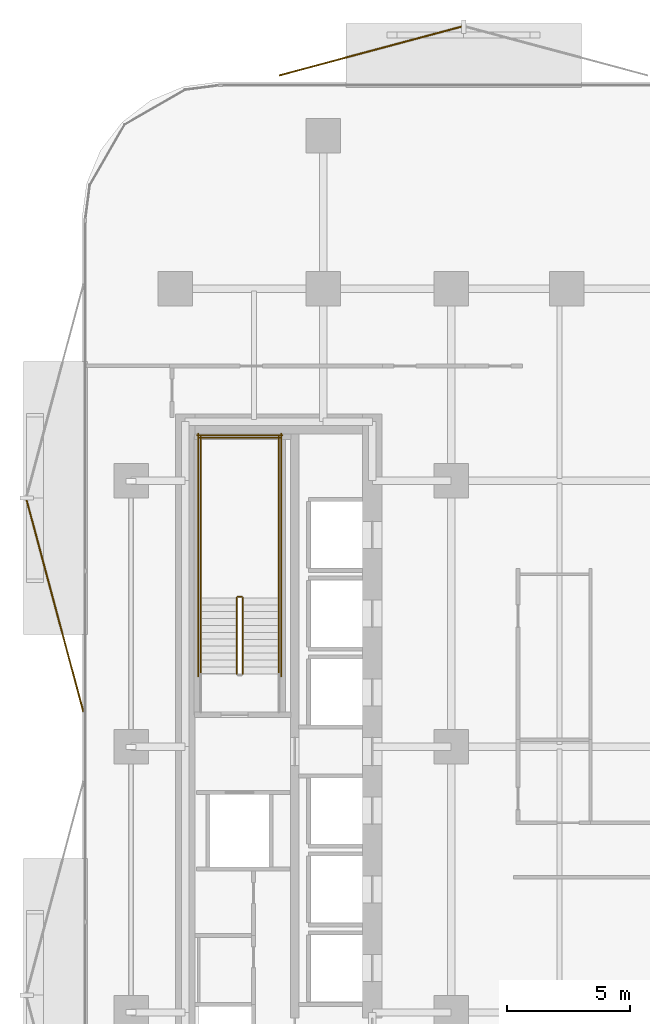
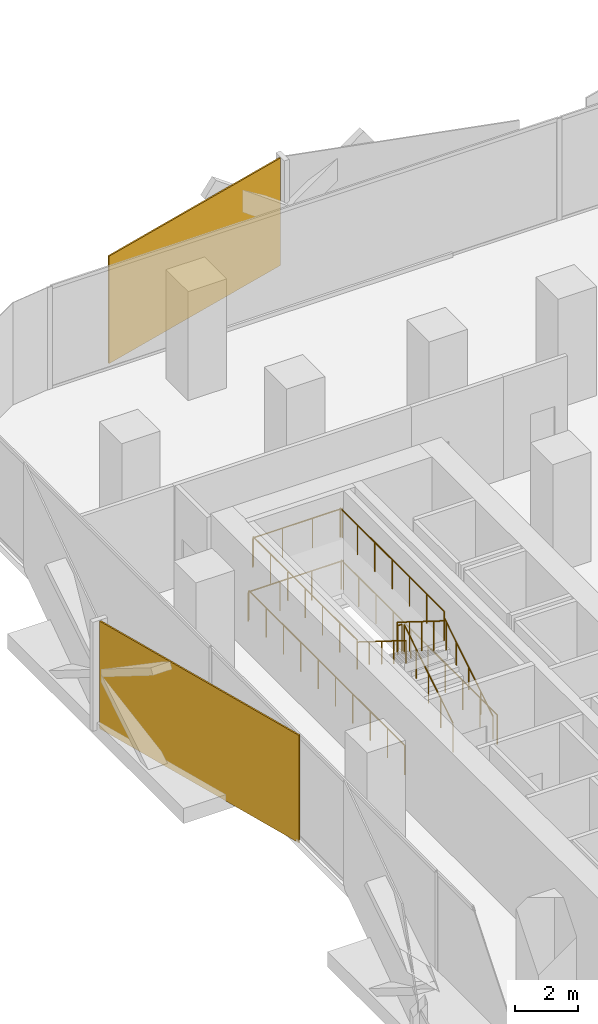
# One storey, part 14 of 15: 11 railings, 2 coverings.
"""IFC4 building model written with IfcOpenShell, lengths in metres."""

from ifc_helpers import new_model, si_unit, direction, frame, origin, origin_2d, place, context, subcontext, project, spatial, rectangle, circle, extrude, material, layer, layer_set, type_object, element, save


model = new_model("IFC4")

# Units and contexts
model_context = context("Model", 3, precision=1e-05, world=origin(), true_north=direction((0.0, 1.0)))
body_context = subcontext(model_context, "Body", "Model", "MODEL_VIEW")
ifc_project = project(units=[si_unit("LENGTHUNIT", "METRE"), si_unit("AREAUNIT", "SQUARE_METRE"), si_unit("VOLUMEUNIT", "CUBIC_METRE"), si_unit("PLANEANGLEUNIT", "RADIAN"), si_unit("MASSUNIT", "GRAM", prefix="KILO")], contexts=[model_context])

# Site, building, storey
site_placement = place(None, origin())
site = spatial("IfcSite", under=ifc_project, at=site_placement, CompositionType="ELEMENT")
building_placement = place(site_placement, origin())
building = spatial("IfcBuilding", under=site, at=building_placement, Name="Khairoan Windgate Tower", CompositionType="ELEMENT")
storey_placement = place(building_placement, frame((0.0, 0.0, 30.199951171875)))
storey = spatial("IfcBuildingStorey", under=building, at=storey_placement, Name="L07", CompositionType="ELEMENT", Elevation=30.199951171875)

# Coverings
ifc_material_1 = material(Name="Anodised Bronze Aluminium 6063-T6", Category="aluminium")
ifc_layer = layer(ifc_material_1, 0.054931640625, Name="Anodised Bronze Aluminium 6063-T6")
ifc_layer_set = layer_set([ifc_layer], Name="Anodised Bronze Aluminium 6063-T6")
covering_type = type_object("IfcCoveringType", Name="Perforated Bronze-Ceramic Folded Solar Screen Cladding BSC-1", PredefinedType="CLADDING", material=ifc_layer_set)
covering_1_placement = place(storey_placement, frame((-25.290283203125, 5.71484375, -0.10009765625), z_axis=(0.0, 0.0, 1.0), x_axis=(-0.258819045103, 0.965925826289, 0.0)))
element("IfcCovering", 1, at=covering_1_placement, inside=storey, type_object=covering_type, Name="L07 Folded Bronze Solar Screen Facet 12L", PredefinedType="CLADDING", context=body_context, shape_type="SweptSolid", body=[
    extrude(rectangle(XDim=8.884033203125, YDim=0.054931640625, at=origin_2d()), origin(), (0.0, 0.0, 1.0), 4.139892578125),
])
covering_2_placement = place(storey_placement, frame((-12.48095703125, 28.249755859375, -0.10009765625), z_axis=(0.0, 0.0, 1.0), x_axis=(0.965925826289, 0.258819045103, 0.0)))
element("IfcCovering", 2, at=covering_2_placement, inside=storey, type_object=covering_type, Name="L07 Folded Bronze Solar Screen Facet 13L", PredefinedType="CLADDING", context=body_context, shape_type="SweptSolid", body=[
    extrude(rectangle(XDim=7.652099609375, YDim=0.054931640625, at=origin_2d()), origin(), (0.0, 0.0, 1.0), 4.139892578125),
])

# Railings
ifc_material_2 = material(Name="Anodised Bronze Aluminium 6063-T6", Category="aluminium")
railing_type_1 = type_object("IfcRailingType", Name="Stair Wall Handrail SHR-900", PredefinedType="HANDRAIL", material=ifc_material_2)
railing_1_placement = place(storey_placement, frame((-16.199951171875, 2.9599609375, 0.175048828125)))
element("IfcRailing", 3, at=railing_1_placement, inside=storey, type_object=railing_type_1, Name="L07 ST2 stair handrail 1", PredefinedType="HANDRAIL", context=body_context, shape_type="SweptSolid", body=[
    extrude(circle(Radius=0.02392578125, at=origin_2d()), frame((0.0, 0.0, 0.8759765625), z_axis=(0.0, 0.847998304005, 0.529998940003), x_axis=(-1.0, 0.0, 0.0)), (0.0, 0.0, 1.0), 3.632080078125),
    extrude(circle(Radius=0.02099609375, at=origin_2d()), origin(), (0.0, 0.0, 1.0), 0.851806640625),
    extrude(circle(Radius=0.02099609375, at=origin_2d()), frame((0.0, 0.77001953125, 0.481201171875)), (0.0, 0.0, 1.0), 0.851806640625),
    extrude(circle(Radius=0.02099609375, at=origin_2d()), frame((0.0, 1.5400390625, 0.96240234375)), (0.0, 0.0, 1.0), 0.851806640625),
    extrude(circle(Radius=0.02099609375, at=origin_2d()), frame((0.0, 2.31005859375, 1.44384765625)), (0.0, 0.0, 1.0), 0.851806640625),
    extrude(circle(Radius=0.02099609375, at=origin_2d()), frame((0.0, 3.080078125, 1.925048828125)), (0.0, 0.0, 1.0), 0.851806640625),
])
railing_2_placement = place(storey_placement, frame((-19.3701171875, 6.0400390625, 2.275146484375)))
element("IfcRailing", 4, at=railing_2_placement, inside=storey, type_object=railing_type_1, Name="L07 ST2 stair handrail 2", PredefinedType="HANDRAIL", context=body_context, shape_type="SweptSolid", body=[
    extrude(circle(Radius=0.02392578125, at=origin_2d()), frame((0.0, 0.0, 0.8759765625), z_axis=(0.0, -0.848028513186, 0.529950602248), x_axis=(1.0, 0.0, 0.0)), (0.0, 0.0, 1.0), 3.632080078125),
    extrude(circle(Radius=0.02099609375, at=origin_2d()), origin(), (0.0, 0.0, 1.0), 0.851806640625),
    extrude(circle(Radius=0.02099609375, at=origin_2d()), frame((0.0, -0.77001953125, 0.481201171875)), (0.0, 0.0, 1.0), 0.851806640625),
    extrude(circle(Radius=0.02099609375, at=origin_2d()), frame((0.0, -1.5400390625, 0.96240234375)), (0.0, 0.0, 1.0), 0.851806640625),
    extrude(circle(Radius=0.02099609375, at=origin_2d()), frame((0.0, -2.31005859375, 1.443603515625)), (0.0, 0.0, 1.0), 0.851806640625),
    extrude(circle(Radius=0.02099609375, at=origin_2d()), frame((0.0, -3.080078125, 1.9248046875)), (0.0, 0.0, 1.0), 0.851806640625),
])
ifc_material_3 = material(Name="Steel S355", Category="steel")
railing_type_2 = type_object("IfcRailingType", Name="Stairwell Safety Guardrail SGR-1150", PredefinedType="GUARDRAIL", material=ifc_material_3)
railing_3_placement = place(storey_placement, frame((-17.659912109375, 2.9599609375, 0.175048828125)))
element("IfcRailing", 5, at=railing_3_placement, inside=storey, type_object=railing_type_2, Name="L07 ST2 stair guard 1", PredefinedType="GUARDRAIL", context=body_context, shape_type="SweptSolid", body=[
    extrude(circle(Radius=0.02392578125, at=origin_2d()), frame((0.0, 0.0, 1.1259765625), z_axis=(0.0, 0.847998304005, 0.529998940003), x_axis=(-1.0, 0.0, 0.0)), (0.0, 0.0, 1.0), 3.632080078125),
    extrude(circle(Radius=0.02099609375, at=origin_2d()), origin(), (0.0, 0.0, 1.0), 1.101806640625),
    extrude(circle(Radius=0.02099609375, at=origin_2d()), frame((0.0, 0.77001953125, 0.481201171875)), (0.0, 0.0, 1.0), 1.101806640625),
    extrude(circle(Radius=0.02099609375, at=origin_2d()), frame((0.0, 1.5400390625, 0.96240234375)), (0.0, 0.0, 1.0), 1.101806640625),
    extrude(circle(Radius=0.02099609375, at=origin_2d()), frame((0.0, 2.31005859375, 1.44384765625)), (0.0, 0.0, 1.0), 1.101806640625),
    extrude(circle(Radius=0.02099609375, at=origin_2d()), frame((0.0, 3.080078125, 1.925048828125)), (0.0, 0.0, 1.0), 1.101806640625),
])
railing_4_placement = place(storey_placement, frame((-17.7099609375, 6.090087890625, 2.10009765625)))
element("IfcRailing", 6, at=railing_4_placement, inside=storey, type_object=railing_type_2, Name="L07 ST2 stair guard 2", PredefinedType="GUARDRAIL", context=body_context, shape_type="SweptSolid", body=[
    extrude(circle(Radius=0.02392578125, at=origin_2d()), frame((0.0, 0.0, 1.1259765625), z_axis=(-1.0, 0.0, 0.0), x_axis=(0.0, -1.0, 0.0)), (0.0, 0.0, 1.0), 0.150146484375),
    extrude(circle(Radius=0.02099609375, at=origin_2d()), origin(), (0.0, 0.0, 1.0), 1.101806640625),
    extrude(circle(Radius=0.02099609375, at=origin_2d()), frame((-0.150146484375, 0.0, 0.0)), (0.0, 0.0, 1.0), 1.101806640625),
])
for number, where, name in (
    (7, (-16.199951171875, 6.0400390625, 2.10009765625), "L07 ST2 stair guard 3"),
    (8, (-19.3701171875, 6.0400390625, 2.10009765625), "L07 ST2 stair guard 4"),
):
    element("IfcRailing", number, at=place(storey_placement, frame(where)), inside=storey, type_object=railing_type_2, Name=name, PredefinedType="GUARDRAIL", context=body_context, shape_type="SweptSolid", body=[
        extrude(circle(Radius=0.02392578125, at=origin_2d()), frame((0.0, 0.0, 1.1259765625), z_axis=(0.0, 1.0, 0.0), x_axis=(-1.0, 0.0, 0.0)), (0.0, 0.0, 1.0), 6.56005859375),
        extrude(circle(Radius=0.02099609375, at=origin_2d()), origin(), (0.0, 0.0, 1.0), 1.101806640625),
        extrude(circle(Radius=0.02099609375, at=origin_2d()), frame((0.0, 1.09326171875, 0.0)), (0.0, 0.0, 1.0), 1.101806640625),
        extrude(circle(Radius=0.02099609375, at=origin_2d()), frame((0.0, 2.186767578125, 0.0)), (0.0, 0.0, 1.0), 1.101806640625),
        extrude(circle(Radius=0.02099609375, at=origin_2d()), frame((0.0, 3.280029296875, 0.0)), (0.0, 0.0, 1.0), 1.101806640625),
        extrude(circle(Radius=0.02099609375, at=origin_2d()), frame((0.0, 4.373291015625, 0.0)), (0.0, 0.0, 1.0), 1.101806640625),
        extrude(circle(Radius=0.02099609375, at=origin_2d()), frame((0.0, 5.466796875, 0.0)), (0.0, 0.0, 1.0), 1.101806640625),
        extrude(circle(Radius=0.02099609375, at=origin_2d()), frame((0.0, 6.56005859375, 0.0)), (0.0, 0.0, 1.0), 1.101806640625),
    ])
railing_5_placement = place(storey_placement, frame((-16.14990234375, 12.550048828125, 2.10009765625)))
element("IfcRailing", 9, at=railing_5_placement, inside=storey, type_object=railing_type_2, Name="L07 ST2 stair guard 5", PredefinedType="GUARDRAIL", context=body_context, shape_type="SweptSolid", body=[
    extrude(circle(Radius=0.02392578125, at=origin_2d()), frame((0.0, 0.0, 1.1259765625), z_axis=(-1.0, 0.0, 0.0), x_axis=(0.0, -1.0, 0.0)), (0.0, 0.0, 1.0), 3.27001953125),
    extrude(circle(Radius=0.02099609375, at=origin_2d()), origin(), (0.0, 0.0, 1.0), 1.101806640625),
    extrude(circle(Radius=0.02099609375, at=origin_2d()), frame((-1.090087890625, 0.0, 0.0)), (0.0, 0.0, 1.0), 1.101806640625),
    extrude(circle(Radius=0.02099609375, at=origin_2d()), frame((-2.179931640625, 0.0, 0.0)), (0.0, 0.0, 1.0), 1.101806640625),
    extrude(circle(Radius=0.02099609375, at=origin_2d()), frame((-3.27001953125, 0.0, 0.0)), (0.0, 0.0, 1.0), 1.101806640625),
])
railing_6_placement = place(storey_placement, frame((-17.909912109375, 6.0400390625, 2.275146484375)))
element("IfcRailing", 10, at=railing_6_placement, inside=storey, type_object=railing_type_2, Name="L07 ST2 stair guard 6", PredefinedType="GUARDRAIL", context=body_context, shape_type="SweptSolid", body=[
    extrude(circle(Radius=0.02392578125, at=origin_2d()), frame((0.0, 0.0, 1.1259765625), z_axis=(0.0, -0.848028513186, 0.529950602248), x_axis=(1.0, 0.0, 0.0)), (0.0, 0.0, 1.0), 3.632080078125),
    extrude(circle(Radius=0.02099609375, at=origin_2d()), origin(), (0.0, 0.0, 1.0), 1.101806640625),
    extrude(circle(Radius=0.02099609375, at=origin_2d()), frame((0.0, -0.77001953125, 0.481201171875)), (0.0, 0.0, 1.0), 1.101806640625),
    extrude(circle(Radius=0.02099609375, at=origin_2d()), frame((0.0, -1.5400390625, 0.96240234375)), (0.0, 0.0, 1.0), 1.101806640625),
    extrude(circle(Radius=0.02099609375, at=origin_2d()), frame((0.0, -2.31005859375, 1.443603515625)), (0.0, 0.0, 1.0), 1.101806640625),
    extrude(circle(Radius=0.02099609375, at=origin_2d()), frame((0.0, -3.080078125, 1.9248046875)), (0.0, 0.0, 1.0), 1.101806640625),
])
for number, where, name in (
    (11, (-16.10009765625, 2.860107421875, 0.0), "L07 ST2 stair guard 10"),
    (12, (-19.469970703125, 2.860107421875, 0.0), "L07 ST2 stair guard 11"),
):
    element("IfcRailing", number, at=place(storey_placement, frame(where)), inside=storey, type_object=railing_type_2, Name=name, PredefinedType="GUARDRAIL", context=body_context, shape_type="SweptSolid", body=[
        extrude(circle(Radius=0.02392578125, at=origin_2d()), frame((0.0, 0.0, 1.1259765625), z_axis=(0.0, 1.0, 0.0), x_axis=(-1.0, 0.0, 0.0)), (0.0, 0.0, 1.0), 9.83984375),
        extrude(circle(Radius=0.02099609375, at=origin_2d()), origin(), (0.0, 0.0, 1.0), 1.101806640625),
        extrude(circle(Radius=0.02099609375, at=origin_2d()), frame((0.0, 1.09326171875, 0.0)), (0.0, 0.0, 1.0), 1.101806640625),
        extrude(circle(Radius=0.02099609375, at=origin_2d()), frame((0.0, 2.1865234375, 0.0)), (0.0, 0.0, 1.0), 1.101806640625),
        extrude(circle(Radius=0.02099609375, at=origin_2d()), frame((0.0, 3.280029296875, 0.0)), (0.0, 0.0, 1.0), 1.101806640625),
        extrude(circle(Radius=0.02099609375, at=origin_2d()), frame((0.0, 4.373291015625, 0.0)), (0.0, 0.0, 1.0), 1.101806640625),
        extrude(circle(Radius=0.02099609375, at=origin_2d()), frame((0.0, 5.466552734375, 0.0)), (0.0, 0.0, 1.0), 1.101806640625),
        extrude(circle(Radius=0.02099609375, at=origin_2d()), frame((0.0, 6.559814453125, 0.0)), (0.0, 0.0, 1.0), 1.101806640625),
        extrude(circle(Radius=0.02099609375, at=origin_2d()), frame((0.0, 7.6533203125, 0.0)), (0.0, 0.0, 1.0), 1.101806640625),
        extrude(circle(Radius=0.02099609375, at=origin_2d()), frame((0.0, 8.74658203125, 0.0)), (0.0, 0.0, 1.0), 1.101806640625),
        extrude(circle(Radius=0.02099609375, at=origin_2d()), frame((0.0, 9.83984375, 0.0)), (0.0, 0.0, 1.0), 1.101806640625),
    ])
railing_7_placement = place(storey_placement, frame((-16.050048828125, 12.64990234375, 0.0)))
element("IfcRailing", 13, at=railing_7_placement, inside=storey, type_object=railing_type_2, Name="L07 ST2 stair guard 12", PredefinedType="GUARDRAIL", context=body_context, shape_type="SweptSolid", body=[
    extrude(circle(Radius=0.02392578125, at=origin_2d()), frame((0.0, 0.0, 1.1259765625), z_axis=(-1.0, 0.0, 0.0), x_axis=(0.0, -1.0, 0.0)), (0.0, 0.0, 1.0), 3.469970703125),
    extrude(circle(Radius=0.02099609375, at=origin_2d()), origin(), (0.0, 0.0, 1.0), 1.101806640625),
    extrude(circle(Radius=0.02099609375, at=origin_2d()), frame((-1.15673828125, 0.0, 0.0)), (0.0, 0.0, 1.0), 1.101806640625),
    extrude(circle(Radius=0.02099609375, at=origin_2d()), frame((-2.313232421875, 0.0, 0.0)), (0.0, 0.0, 1.0), 1.101806640625),
    extrude(circle(Radius=0.02099609375, at=origin_2d()), frame((-3.469970703125, 0.0, 0.0)), (0.0, 0.0, 1.0), 1.101806640625),
])

save(model, "model.ifc")
